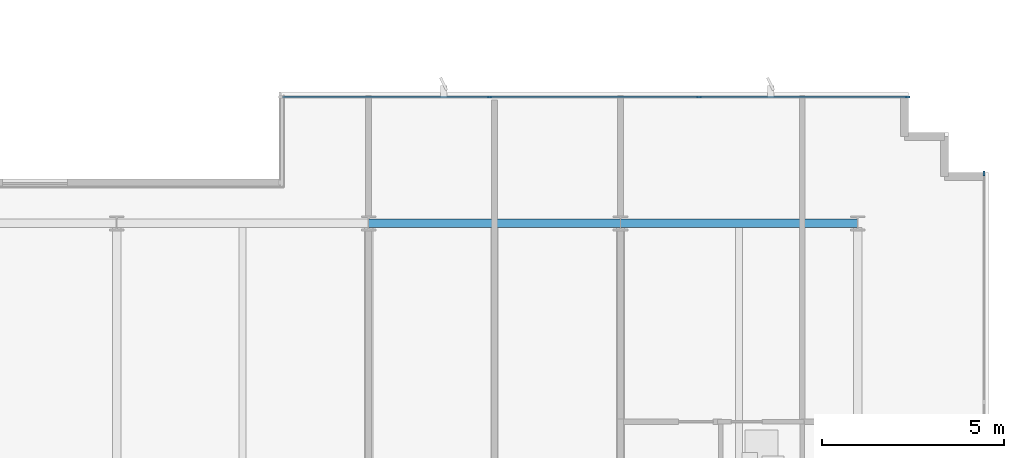
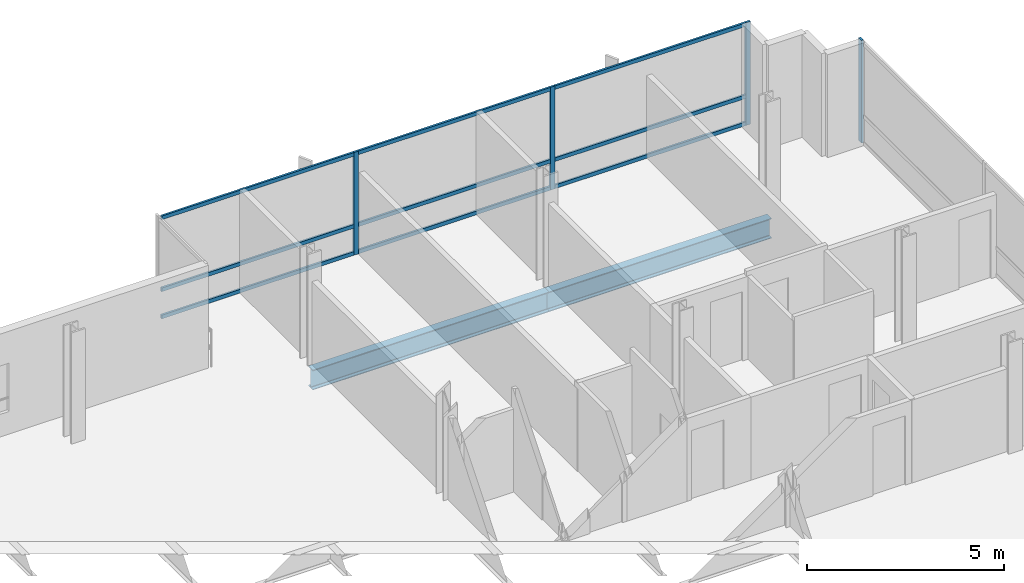
# One storey, part 9 of 17: 13 members, 2 beams, 2 elements without a shape of their own.
"""IFC4 building model written with IfcOpenShell, lengths in metres."""

import ifcopenshell
import ifcopenshell.guid

model = None  # the IFC model being written
_history = None  # IfcOwnerHistory: only IFC2X3 demands one
_inside = {}  # id of a spatial element -> (the spatial element, [elements in it])
_under = {}  # id of a project, library or spatial element -> (it, [spatial elements below it])
_declared = {}  # id of a project -> (the project, [libraries it declares])
_typed = {}  # id of a type object -> (the type object, [elements of that type])
_made_of = {}  # id of a material, layer set ... -> (it, [elements and type objects made of it])


def new_model(schema):
    """Start an empty IFC model of exactly this schema.

    Asked for "IFC4X3", IfcOpenShell would pick the latest addendum, in which some entities
    have other attributes; the version numbers below select the first issue.
    IFC2X3 requires an IfcOwnerHistory on every rooted entity: one is made here for all.
    """
    global model, _history
    if schema == "IFC4X3":
        model = ifcopenshell.file(schema_version=(4, 3, 0, 0))
    else:
        model = ifcopenshell.file(schema=schema)
    _inside.clear()
    _under.clear()
    _declared.clear()
    _typed.clear()
    _made_of.clear()
    _history = None
    if model.schema == "IFC2X3":
        org = make("IfcOrganization", Name="unknown")
        user = make(
            "IfcPersonAndOrganization",
            ThePerson=make("IfcPerson", FamilyName="unknown"),
            TheOrganization=org,
        )
        app = make(
            "IfcApplication",
            ApplicationDeveloper=org,
            Version="unknown",
            ApplicationFullName="unknown",
            ApplicationIdentifier="unknown",
        )
        _history = make(
            "IfcOwnerHistory",
            OwningUser=user,
            OwningApplication=app,
            ChangeAction="ADDED",
            CreationDate=0,
        )
    return model


def make(cls, **values):
    """One entity of the class cls with the attributes given. An attribute that is None is left unset."""
    return model.create_entity(
        cls, **{name: value for name, value in values.items() if value is not None}
    )


def rooted(cls, **values):
    """An entity with a GlobalId (a new one), such as an element, a storey or a relation."""
    return make(cls, GlobalId=ifcopenshell.guid.new(), OwnerHistory=_history, **values)


def si_unit(unit_type, name, prefix=None):
    """IfcSIUnit, for example si_unit("LENGTHUNIT", "METRE", prefix="MILLI")."""
    return make("IfcSIUnit", UnitType=unit_type, Prefix=prefix, Name=name)


def assignment(units):
    """IfcUnitAssignment: the units of a project."""
    return None if units is None else make("IfcUnitAssignment", Units=units)


def point(xyz):
    """IfcCartesianPoint."""
    return None if xyz is None else make("IfcCartesianPoint", Coordinates=xyz)


def direction(xyz):
    """IfcDirection."""
    return None if xyz is None else make("IfcDirection", DirectionRatios=xyz)


def frame(location, z_axis=None, x_axis=None):
    """IfcAxis2Placement3D, a coordinate frame: its origin and axes. An axis left out is left unset."""
    return make(
        "IfcAxis2Placement3D",
        Location=point(location),
        Axis=direction(z_axis),
        RefDirection=direction(x_axis),
    )


def frame_2d(location, x_axis=None):
    """IfcAxis2Placement2D, a coordinate frame in the plane: its origin and x axis."""
    return make(
        "IfcAxis2Placement2D", Location=point(location), RefDirection=direction(x_axis)
    )


def origin():
    """The frame at (0, 0, 0) with its axes left unset."""
    return frame((0.0, 0.0, 0.0))


def origin_2d():
    """The frame at (0, 0) in the plane with its x axis left unset."""
    return frame_2d((0.0, 0.0))


def place(relative_to, where):
    """IfcLocalPlacement: puts the frame where relative to a parent placement (None: the world)."""
    return make(
        "IfcLocalPlacement", PlacementRelTo=relative_to, RelativePlacement=where
    )


def context(
    kind, dimensions, precision=None, world=None, true_north=None, identifier=None
):
    """IfcGeometricRepresentationContext, for example the 3D "Model" context."""
    return make(
        "IfcGeometricRepresentationContext",
        ContextIdentifier=identifier,
        ContextType=kind,
        CoordinateSpaceDimension=dimensions,
        Precision=precision,
        WorldCoordinateSystem=world,
        TrueNorth=true_north,
    )


def subcontext(parent, identifier, kind, view, scale=None):
    """IfcGeometricRepresentationSubContext, for example "Body" below "Model"."""
    return make(
        "IfcGeometricRepresentationSubContext",
        ContextIdentifier=identifier,
        ContextType=kind,
        ParentContext=parent,
        TargetScale=scale,
        TargetView=view,
    )


def project(units=None, contexts=None):
    """IfcProject with its units and contexts."""
    return rooted(
        "IfcProject",
        Name="project",
        RepresentationContexts=contexts,
        UnitsInContext=assignment(units),
    )


def spatial(cls, under=None, at=None, **own):
    """A site, building, storey or space (cls), placed at a placement, below another one or the project."""
    s = rooted(cls, ObjectPlacement=at, **own)
    if under is not None:
        _under.setdefault(under.id(), (under, []))[1].append(s)
    return s


def profile(cls, at=None, kind="AREA", **sizes):
    """A parametric profile (cls). Its sizes go by their IFC names, for example OverallWidth=200.0."""
    return make(cls, ProfileType=kind, Position=at, **sizes)


def rectangle(**sizes):
    """IfcRectangleProfileDef."""
    return profile("IfcRectangleProfileDef", **sizes)


def i_section(**sizes):
    """IfcIShapeProfileDef."""
    return profile("IfcIShapeProfileDef", **sizes)


def extrude(swept, where, along, depth):
    """IfcExtrudedAreaSolid: the profile swept, set in the frame where, extruded along a direction by depth."""
    return make(
        "IfcExtrudedAreaSolid",
        SweptArea=swept,
        Position=where,
        ExtrudedDirection=direction(along),
        Depth=depth,
    )


def shape(context_of_items, identifier, shape_type, items):
    """IfcShapeRepresentation: the items that make up one representation, for example the "Body"."""
    return make(
        "IfcShapeRepresentation",
        ContextOfItems=context_of_items,
        RepresentationIdentifier=identifier,
        RepresentationType=shape_type,
        Items=items,
    )


def material(Name=None, Category=None):
    """IfcMaterial."""
    return make("IfcMaterial", Name=Name, Category=Category)


def material_profile(
    of_material, cross_section, Name=None, Category=None, Priority=None
):
    """IfcMaterialProfile: a cross section and its material."""
    return make(
        "IfcMaterialProfile",
        Name=Name,
        Material=of_material,
        Profile=cross_section,
        Priority=Priority,
        Category=Category,
    )


def profile_set(profiles, Name=None, composite=None):
    """IfcMaterialProfileSet."""
    return make(
        "IfcMaterialProfileSet",
        Name=Name,
        MaterialProfiles=profiles,
        CompositeProfile=composite,
    )


def made_of(thing, what):
    """Note that an element or type object is made of a material, layer set ...; save() writes the relation."""
    if what is not None:
        _made_of.setdefault(what.id(), (what, []))[1].append(thing)
    return thing


def type_object(cls, material=None, **own):
    """A type object (cls), such as IfcWallType, which elements share."""
    return made_of(rooted(cls, **own), material)


def element(
    cls,
    number,
    at=None,
    inside=None,
    cuts=None,
    type_object=None,
    material=None,
    context=None,
    identifier="Body",
    shape_type=None,
    held_by="IfcProductDefinitionShape",
    body=None,
    shapes=None,
    **own,
):
    """One element of the class cls, such as IfcWall. Its Tag is "e" and its number.

    at: its placement. inside: the storey or other place that contains it. cuts: it is an
    opening in that element (IfcRelVoidsElement). A single representation is given by context,
    identifier, shape_type and body (its items); several are given by shapes. held_by: the class
    of the entity that holds the representations. save() writes the other relations.
    """
    e = rooted(cls, Tag="e%d" % number, ObjectPlacement=at, **own)
    if body is not None:
        shapes = [shape(context, identifier, shape_type, body)]
    if shapes is not None:
        e.Representation = make(held_by, Representations=shapes)
    if inside is not None:
        _inside.setdefault(inside.id(), (inside, []))[1].append(e)
    if cuts is not None:
        rooted(
            "IfcRelVoidsElement", RelatingBuildingElement=cuts, RelatedOpeningElement=e
        )
    if type_object is not None:
        _typed.setdefault(type_object.id(), (type_object, []))[1].append(e)
    return made_of(e, material)


def aggregate(whole, parts):
    """IfcRelAggregates: a whole, such as a stair, and the parts it consists of."""
    return rooted("IfcRelAggregates", RelatingObject=whole, RelatedObjects=parts)


def save(model, path):
    """Write the relations noted so far, then the file.

    IfcRelAggregates (storeys below a building ...), IfcRelContainedInSpatialStructure (elements
    in a storey), IfcRelDefinesByType, IfcRelAssociatesMaterial and IfcRelDeclares: one each for
    every whole, place, type object, material and project.
    """
    for whole, parts in _under.values():
        aggregate(whole, parts)
    for where, things in _inside.values():
        rooted(
            "IfcRelContainedInSpatialStructure",
            RelatedElements=things,
            RelatingStructure=where,
        )
    for kind, things in _typed.values():
        rooted("IfcRelDefinesByType", RelatedObjects=things, RelatingType=kind)
    for what, things in _made_of.values():
        rooted("IfcRelAssociatesMaterial", RelatedObjects=things, RelatingMaterial=what)
    for by, libraries in _declared.values():
        rooted("IfcRelDeclares", RelatingContext=by, RelatedDefinitions=libraries)
    model.write(path)


model = new_model("IFC4")

# Units and contexts
model_context = context("Model", 3, precision=1e-05, world=origin(), true_north=direction((0.0, 1.0)))
body_context = subcontext(model_context, "Body", "Model", "MODEL_VIEW")
ifc_project = project(units=[si_unit("LENGTHUNIT", "METRE"), si_unit("AREAUNIT", "SQUARE_METRE"), si_unit("VOLUMEUNIT", "CUBIC_METRE"), si_unit("PLANEANGLEUNIT", "RADIAN"), si_unit("MASSUNIT", "GRAM", prefix="KILO")], contexts=[model_context])

# Site, building, storey
site_placement = place(None, origin())
site = spatial("IfcSite", under=ifc_project, at=site_placement, CompositionType="ELEMENT")
building_placement = place(site_placement, origin())
building = spatial("IfcBuilding", under=site, at=building_placement, Name="Solmavex Isthmus Hotel", CompositionType="ELEMENT")
storey_placement = place(building_placement, frame((0.0, 0.0, 266.10009765625)))
storey = spatial("IfcBuildingStorey", under=building, at=storey_placement, Name="L72", CompositionType="ELEMENT", Elevation=266.10009765625)

# Beams
ifc_material_1 = material(Name="Steel ASTM A992 Grade 50", Category="steel")
ifc_material_profile_1 = material_profile(ifc_material_1, i_section(OverallWidth=0.230224609375, OverallDepth=0.617431640625, WebThickness=0.01318359375, FlangeThickness=0.022216796875, FilletRadius=0.01513671875, at=origin_2d()), Name="W24X94")
ifc_profile_set_1 = profile_set([ifc_material_profile_1], Name="Steel ASTM A992 Grade 50")
beam_type = type_object("IfcBeamType", Name="BM-SP-W24X94", PredefinedType="SPANDREL", material=ifc_profile_set_1)
beam_1_placement = place(storey_placement, frame((6.93603515625, 17.699951171875, -0.56884765625), z_axis=(1.0, 0.0, 0.0), x_axis=(0.0, 1.0, 0.0)))
element("IfcBeam", 1, at=beam_1_placement, inside=storey, type_object=beam_type, Name="Floor Girder L72-UG19", PredefinedType="SPANDREL", context=body_context, shape_type="SweptSolid", body=[
    extrude(i_section(OverallWidth=0.230224609375, OverallDepth=0.617431640625, WebThickness=0.01318359375, FlangeThickness=0.022216796875, FilletRadius=0.01513671875, at=origin_2d()), origin(), (0.0, 0.0, 1.0), 6.93603515625),
])
beam_2_placement = place(storey_placement, frame((13.8720703125, 17.699951171875, -0.56884765625), z_axis=(1.0, 0.0, 0.0), x_axis=(0.0, 1.0, 0.0)))
element("IfcBeam", 2, at=beam_2_placement, inside=storey, type_object=beam_type, Name="Floor Girder L72-UG20", PredefinedType="SPANDREL", context=body_context, shape_type="SweptSolid", body=[
    extrude(i_section(OverallWidth=0.230224609375, OverallDepth=0.617431640625, WebThickness=0.01318359375, FlangeThickness=0.022216796875, FilletRadius=0.01513671875, at=origin_2d()), origin(), (0.0, 0.0, 1.0), 6.52783203125),
])

# Curtain wall, members
ifc_material_2 = material(Name="Aluminium alloy 6063-T6", Category="aluminium")
curtain_wall_type = type_object("IfcCurtainWallType", Name="CW-SYS-06", PredefinedType="NOTDEFINED", material=ifc_material_2)
curtain_wall_1_placement = place(storey_placement, origin())
curtain_wall_1 = element("IfcCurtainWall", 3, at=curtain_wall_1_placement, inside=storey, type_object=curtain_wall_type, Name="Stick Curtain Wall CWL-L72-N3", PredefinedType="NOTDEFINED")
ifc_material_profile_2 = material_profile(ifc_material_2, rectangle(XDim=0.06005859375, YDim=0.139892578125, at=origin_2d()), Name="CWM-60X140")
ifc_profile_set_2 = profile_set([ifc_material_profile_2], Name="Aluminium alloy 6063-T6")
member_type_1 = type_object("IfcMemberType", Name="CW-SYS-06-MUL", PredefinedType="MULLION", material=ifc_profile_set_2)
member_1_placement = place(storey_placement, frame((10.2666015625, 21.179931640625, 0.0), z_axis=(0.0, 0.0, 1.0), x_axis=(0.0, 1.0, 0.0)))
member_1 = element("IfcMember", 4, at=member_1_placement, type_object=member_type_1, Name="CW-06 mullion 2", PredefinedType="MULLION", context=body_context, shape_type="SweptSolid", body=[
    extrude(rectangle(XDim=0.06005859375, YDim=0.139892578125, at=origin_2d()), origin(), (0.0, 0.0, 1.0), 3.18994140625),
])
member_2_placement = place(storey_placement, frame((16.033447265625, 21.179931640625, 0.0), z_axis=(0.0, 0.0, 1.0), x_axis=(0.0, 1.0, 0.0)))
member_2 = element("IfcMember", 5, at=member_2_placement, type_object=member_type_1, Name="CW-06 mullion 3", PredefinedType="MULLION", context=body_context, shape_type="SweptSolid", body=[
    extrude(rectangle(XDim=0.06005859375, YDim=0.139892578125, at=origin_2d()), origin(), (0.0, 0.0, 1.0), 3.18994140625),
])
member_3_placement = place(storey_placement, frame((21.77001953125, 21.179931640625, 0.0), z_axis=(0.0, 0.0, 1.0), x_axis=(0.0, 1.0, 0.0)))
member_3 = element("IfcMember", 6, at=member_3_placement, type_object=member_type_1, Name="CW-06 mullion 4", PredefinedType="MULLION", context=body_context, shape_type="SweptSolid", body=[
    extrude(rectangle(XDim=0.06005859375, YDim=0.139892578125, at=origin_2d()), origin(), (0.0, 0.0, 1.0), 3.18994140625),
])

# Curtain wall, member
curtain_wall_2_placement = place(storey_placement, origin())
curtain_wall_2 = element("IfcCurtainWall", 7, at=curtain_wall_2_placement, inside=storey, type_object=curtain_wall_type, Name="Stick Curtain Wall CWL-L72-E1", PredefinedType="NOTDEFINED")
member_4_placement = place(storey_placement, frame((23.8798828125, 19.070068359375, 0.0), z_axis=(0.0, 0.0, 1.0), x_axis=(-1.0, 0.0, 0.0)))
member_4 = element("IfcMember", 8, at=member_4_placement, type_object=member_type_1, Name="CW-06 mullion 6", PredefinedType="MULLION", context=body_context, shape_type="SweptSolid", body=[
    extrude(rectangle(XDim=0.06005859375, YDim=0.139892578125, at=origin_2d()), origin(), (0.0, 0.0, 1.0), 3.18994140625),
])
aggregate(curtain_wall_2, [member_4])

# Member
ifc_material_profile_3 = material_profile(ifc_material_2, rectangle(XDim=0.06005859375, YDim=0.114990234375, at=origin_2d()), Name="CWT-60X115")
ifc_profile_set_3 = profile_set([ifc_material_profile_3], Name="Aluminium alloy 6063-T6")
member_type_2 = type_object("IfcMemberType", Name="CW-SYS-06-TRN", PredefinedType="USERDEFINED", material=ifc_profile_set_3)
member_5_placement = place(storey_placement, frame((4.56005859375, 21.179931640625, 0.057373046875), z_axis=(1.0, 0.0, 0.0), x_axis=(0.0, 1.0, 0.0)))
member_5 = element("IfcMember", 9, at=member_5_placement, type_object=member_type_2, Name="CW-06 transom 1.1", ObjectType="TRANSOM", PredefinedType="USERDEFINED", context=body_context, shape_type="SweptSolid", body=[
    extrude(rectangle(XDim=0.06005859375, YDim=0.114990234375, at=origin_2d()), origin(), (0.0, 0.0, 1.0), 5.676513671875),
])

member_6_placement = place(storey_placement, frame((4.56005859375, 21.179931640625, 0.89990234375), z_axis=(1.0, 0.0, 0.0), x_axis=(0.0, 1.0, 0.0)))
member_6 = element("IfcMember", 10, at=member_6_placement, type_object=member_type_2, Name="CW-06 transom 1.2", ObjectType="TRANSOM", PredefinedType="USERDEFINED", context=body_context, shape_type="SweptSolid", body=[
    extrude(rectangle(XDim=0.06005859375, YDim=0.114990234375, at=origin_2d()), origin(), (0.0, 0.0, 1.0), 5.676513671875),
])

member_7_placement = place(storey_placement, frame((4.56005859375, 21.179931640625, 3.13232421875), z_axis=(1.0, 0.0, 0.0), x_axis=(0.0, 1.0, 0.0)))
member_7 = element("IfcMember", 11, at=member_7_placement, type_object=member_type_2, Name="CW-06 transom 1.3", ObjectType="TRANSOM", PredefinedType="USERDEFINED", context=body_context, shape_type="SweptSolid", body=[
    extrude(rectangle(XDim=0.06005859375, YDim=0.114990234375, at=origin_2d()), origin(), (0.0, 0.0, 1.0), 5.676513671875),
])

member_8_placement = place(storey_placement, frame((10.296630859375, 21.179931640625, 0.057373046875), z_axis=(1.0, 0.0, 0.0), x_axis=(0.0, 1.0, 0.0)))
member_8 = element("IfcMember", 12, at=member_8_placement, type_object=member_type_2, Name="CW-06 transom 2.1", ObjectType="TRANSOM", PredefinedType="USERDEFINED", context=body_context, shape_type="SweptSolid", body=[
    extrude(rectangle(XDim=0.06005859375, YDim=0.114990234375, at=origin_2d()), origin(), (0.0, 0.0, 1.0), 5.706787109375),
])

member_9_placement = place(storey_placement, frame((10.296630859375, 21.179931640625, 0.89990234375), z_axis=(1.0, 0.0, 0.0), x_axis=(0.0, 1.0, 0.0)))
member_9 = element("IfcMember", 13, at=member_9_placement, type_object=member_type_2, Name="CW-06 transom 2.2", ObjectType="TRANSOM", PredefinedType="USERDEFINED", context=body_context, shape_type="SweptSolid", body=[
    extrude(rectangle(XDim=0.06005859375, YDim=0.114990234375, at=origin_2d()), origin(), (0.0, 0.0, 1.0), 5.706787109375),
])

member_10_placement = place(storey_placement, frame((10.296630859375, 21.179931640625, 3.13232421875), z_axis=(1.0, 0.0, 0.0), x_axis=(0.0, 1.0, 0.0)))
member_10 = element("IfcMember", 14, at=member_10_placement, type_object=member_type_2, Name="CW-06 transom 2.3", ObjectType="TRANSOM", PredefinedType="USERDEFINED", context=body_context, shape_type="SweptSolid", body=[
    extrude(rectangle(XDim=0.06005859375, YDim=0.114990234375, at=origin_2d()), origin(), (0.0, 0.0, 1.0), 5.706787109375),
])

member_11_placement = place(storey_placement, frame((16.063232421875, 21.179931640625, 0.057373046875), z_axis=(1.0, 0.0, 0.0), x_axis=(0.0, 1.0, 0.0)))
member_11 = element("IfcMember", 15, at=member_11_placement, type_object=member_type_2, Name="CW-06 transom 3.1", ObjectType="TRANSOM", PredefinedType="USERDEFINED", context=body_context, shape_type="SweptSolid", body=[
    extrude(rectangle(XDim=0.06005859375, YDim=0.114990234375, at=origin_2d()), origin(), (0.0, 0.0, 1.0), 5.6767578125),
])

member_12_placement = place(storey_placement, frame((16.063232421875, 21.179931640625, 0.89990234375), z_axis=(1.0, 0.0, 0.0), x_axis=(0.0, 1.0, 0.0)))
member_12 = element("IfcMember", 16, at=member_12_placement, type_object=member_type_2, Name="CW-06 transom 3.2", ObjectType="TRANSOM", PredefinedType="USERDEFINED", context=body_context, shape_type="SweptSolid", body=[
    extrude(rectangle(XDim=0.06005859375, YDim=0.114990234375, at=origin_2d()), origin(), (0.0, 0.0, 1.0), 5.6767578125),
])

member_13_placement = place(storey_placement, frame((16.063232421875, 21.179931640625, 3.13232421875), z_axis=(1.0, 0.0, 0.0), x_axis=(0.0, 1.0, 0.0)))
member_13 = element("IfcMember", 17, at=member_13_placement, type_object=member_type_2, Name="CW-06 transom 3.3", ObjectType="TRANSOM", PredefinedType="USERDEFINED", context=body_context, shape_type="SweptSolid", body=[
    extrude(rectangle(XDim=0.06005859375, YDim=0.114990234375, at=origin_2d()), origin(), (0.0, 0.0, 1.0), 5.6767578125),
])

aggregate(curtain_wall_1, [member_1, member_2, member_3, member_5, member_6, member_7, member_8, member_9, member_10, member_11, member_12, member_13])

save(model, "model.ifc")
